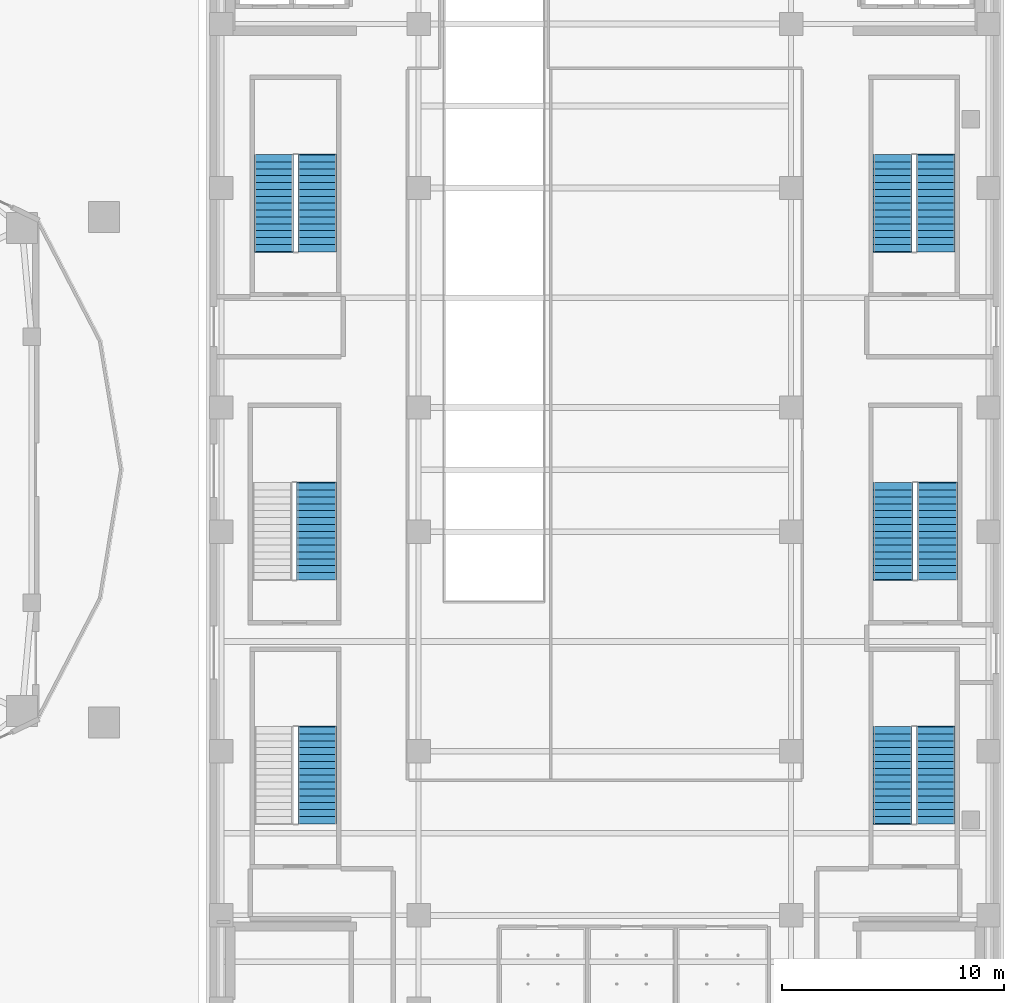
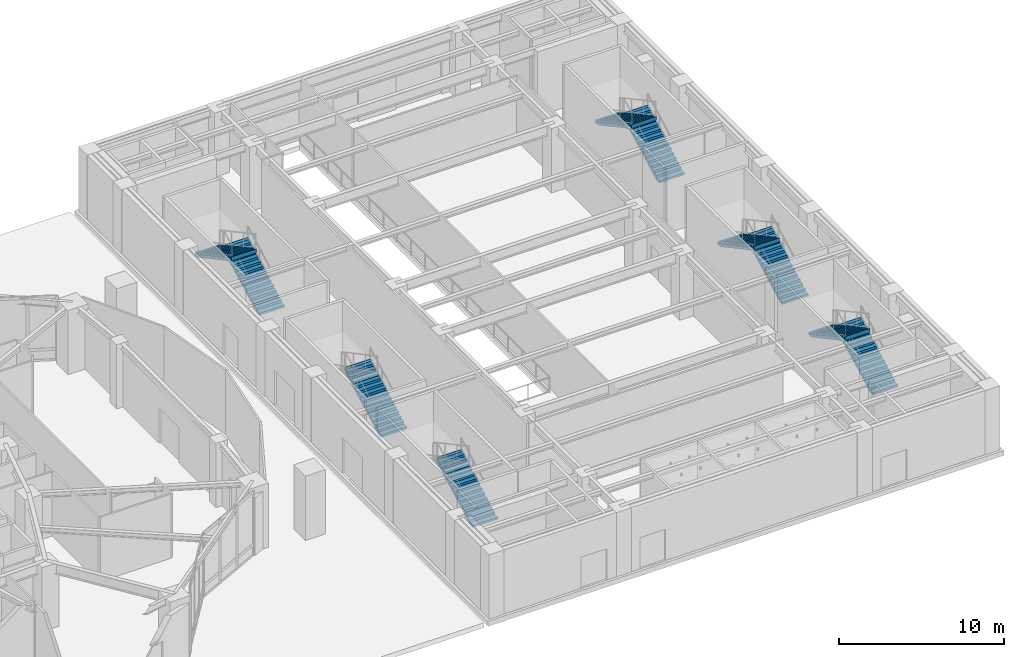
# One storey, part 17 of 23: 10 stair flights, 6 elements without a shape of their own.
"""IFC4 building model written with IfcOpenShell, lengths in metres."""

import ifcopenshell
import ifcopenshell.guid

model = None  # the IFC model being written
_history = None  # IfcOwnerHistory: only IFC2X3 demands one
_inside = {}  # id of a spatial element -> (the spatial element, [elements in it])
_under = {}  # id of a project, library or spatial element -> (it, [spatial elements below it])
_declared = {}  # id of a project -> (the project, [libraries it declares])
_typed = {}  # id of a type object -> (the type object, [elements of that type])
_made_of = {}  # id of a material, layer set ... -> (it, [elements and type objects made of it])


def new_model(schema):
    """Start an empty IFC model of exactly this schema.

    Asked for "IFC4X3", IfcOpenShell would pick the latest addendum, in which some entities
    have other attributes; the version numbers below select the first issue.
    IFC2X3 requires an IfcOwnerHistory on every rooted entity: one is made here for all.
    """
    global model, _history
    if schema == "IFC4X3":
        model = ifcopenshell.file(schema_version=(4, 3, 0, 0))
    else:
        model = ifcopenshell.file(schema=schema)
    _inside.clear()
    _under.clear()
    _declared.clear()
    _typed.clear()
    _made_of.clear()
    _history = None
    if model.schema == "IFC2X3":
        org = make("IfcOrganization", Name="unknown")
        user = make(
            "IfcPersonAndOrganization",
            ThePerson=make("IfcPerson", FamilyName="unknown"),
            TheOrganization=org,
        )
        app = make(
            "IfcApplication",
            ApplicationDeveloper=org,
            Version="unknown",
            ApplicationFullName="unknown",
            ApplicationIdentifier="unknown",
        )
        _history = make(
            "IfcOwnerHistory",
            OwningUser=user,
            OwningApplication=app,
            ChangeAction="ADDED",
            CreationDate=0,
        )
    return model


def make(cls, **values):
    """One entity of the class cls with the attributes given. An attribute that is None is left unset."""
    return model.create_entity(
        cls, **{name: value for name, value in values.items() if value is not None}
    )


def rooted(cls, **values):
    """An entity with a GlobalId (a new one), such as an element, a storey or a relation."""
    return make(cls, GlobalId=ifcopenshell.guid.new(), OwnerHistory=_history, **values)


def si_unit(unit_type, name, prefix=None):
    """IfcSIUnit, for example si_unit("LENGTHUNIT", "METRE", prefix="MILLI")."""
    return make("IfcSIUnit", UnitType=unit_type, Prefix=prefix, Name=name)


def assignment(units):
    """IfcUnitAssignment: the units of a project."""
    return None if units is None else make("IfcUnitAssignment", Units=units)


def point(xyz):
    """IfcCartesianPoint."""
    return None if xyz is None else make("IfcCartesianPoint", Coordinates=xyz)


def direction(xyz):
    """IfcDirection."""
    return None if xyz is None else make("IfcDirection", DirectionRatios=xyz)


def frame(location, z_axis=None, x_axis=None):
    """IfcAxis2Placement3D, a coordinate frame: its origin and axes. An axis left out is left unset."""
    return make(
        "IfcAxis2Placement3D",
        Location=point(location),
        Axis=direction(z_axis),
        RefDirection=direction(x_axis),
    )


def origin():
    """The frame at (0, 0, 0) with its axes left unset."""
    return frame((0.0, 0.0, 0.0))


def place(relative_to, where):
    """IfcLocalPlacement: puts the frame where relative to a parent placement (None: the world)."""
    return make(
        "IfcLocalPlacement", PlacementRelTo=relative_to, RelativePlacement=where
    )


def context(
    kind, dimensions, precision=None, world=None, true_north=None, identifier=None
):
    """IfcGeometricRepresentationContext, for example the 3D "Model" context."""
    return make(
        "IfcGeometricRepresentationContext",
        ContextIdentifier=identifier,
        ContextType=kind,
        CoordinateSpaceDimension=dimensions,
        Precision=precision,
        WorldCoordinateSystem=world,
        TrueNorth=true_north,
    )


def subcontext(parent, identifier, kind, view, scale=None):
    """IfcGeometricRepresentationSubContext, for example "Body" below "Model"."""
    return make(
        "IfcGeometricRepresentationSubContext",
        ContextIdentifier=identifier,
        ContextType=kind,
        ParentContext=parent,
        TargetScale=scale,
        TargetView=view,
    )


def project(units=None, contexts=None):
    """IfcProject with its units and contexts."""
    return rooted(
        "IfcProject",
        Name="project",
        RepresentationContexts=contexts,
        UnitsInContext=assignment(units),
    )


def spatial(cls, under=None, at=None, **own):
    """A site, building, storey or space (cls), placed at a placement, below another one or the project."""
    s = rooted(cls, ObjectPlacement=at, **own)
    if under is not None:
        _under.setdefault(under.id(), (under, []))[1].append(s)
    return s


def polyline(points):
    """IfcPolyline through the points."""
    return make("IfcPolyline", Points=[point(p) for p in points])


def outline(outer, holes=None, kind="AREA"):
    """IfcArbitraryClosedProfileDef: a profile drawn as a closed curve; with holes, ...WithVoids."""
    if holes is None:
        return make("IfcArbitraryClosedProfileDef", ProfileType=kind, OuterCurve=outer)
    return make(
        "IfcArbitraryProfileDefWithVoids",
        ProfileType=kind,
        OuterCurve=outer,
        InnerCurves=holes,
    )


def extrude(swept, where, along, depth):
    """IfcExtrudedAreaSolid: the profile swept, set in the frame where, extruded along a direction by depth."""
    return make(
        "IfcExtrudedAreaSolid",
        SweptArea=swept,
        Position=where,
        ExtrudedDirection=direction(along),
        Depth=depth,
    )


def shape(context_of_items, identifier, shape_type, items):
    """IfcShapeRepresentation: the items that make up one representation, for example the "Body"."""
    return make(
        "IfcShapeRepresentation",
        ContextOfItems=context_of_items,
        RepresentationIdentifier=identifier,
        RepresentationType=shape_type,
        Items=items,
    )


def material(Name=None, Category=None):
    """IfcMaterial."""
    return make("IfcMaterial", Name=Name, Category=Category)


def made_of(thing, what):
    """Note that an element or type object is made of a material, layer set ...; save() writes the relation."""
    if what is not None:
        _made_of.setdefault(what.id(), (what, []))[1].append(thing)
    return thing


def type_object(cls, material=None, **own):
    """A type object (cls), such as IfcWallType, which elements share."""
    return made_of(rooted(cls, **own), material)


def element(
    cls,
    number,
    at=None,
    inside=None,
    cuts=None,
    type_object=None,
    material=None,
    context=None,
    identifier="Body",
    shape_type=None,
    held_by="IfcProductDefinitionShape",
    body=None,
    shapes=None,
    **own,
):
    """One element of the class cls, such as IfcWall. Its Tag is "e" and its number.

    at: its placement. inside: the storey or other place that contains it. cuts: it is an
    opening in that element (IfcRelVoidsElement). A single representation is given by context,
    identifier, shape_type and body (its items); several are given by shapes. held_by: the class
    of the entity that holds the representations. save() writes the other relations.
    """
    e = rooted(cls, Tag="e%d" % number, ObjectPlacement=at, **own)
    if body is not None:
        shapes = [shape(context, identifier, shape_type, body)]
    if shapes is not None:
        e.Representation = make(held_by, Representations=shapes)
    if inside is not None:
        _inside.setdefault(inside.id(), (inside, []))[1].append(e)
    if cuts is not None:
        rooted(
            "IfcRelVoidsElement", RelatingBuildingElement=cuts, RelatedOpeningElement=e
        )
    if type_object is not None:
        _typed.setdefault(type_object.id(), (type_object, []))[1].append(e)
    return made_of(e, material)


def aggregate(whole, parts):
    """IfcRelAggregates: a whole, such as a stair, and the parts it consists of."""
    return rooted("IfcRelAggregates", RelatingObject=whole, RelatedObjects=parts)


def save(model, path):
    """Write the relations noted so far, then the file.

    IfcRelAggregates (storeys below a building ...), IfcRelContainedInSpatialStructure (elements
    in a storey), IfcRelDefinesByType, IfcRelAssociatesMaterial and IfcRelDeclares: one each for
    every whole, place, type object, material and project.
    """
    for whole, parts in _under.values():
        aggregate(whole, parts)
    for where, things in _inside.values():
        rooted(
            "IfcRelContainedInSpatialStructure",
            RelatedElements=things,
            RelatingStructure=where,
        )
    for kind, things in _typed.values():
        rooted("IfcRelDefinesByType", RelatedObjects=things, RelatingType=kind)
    for what, things in _made_of.values():
        rooted("IfcRelAssociatesMaterial", RelatedObjects=things, RelatingMaterial=what)
    for by, libraries in _declared.values():
        rooted("IfcRelDeclares", RelatingContext=by, RelatedDefinitions=libraries)
    model.write(path)


model = new_model("IFC4")

# Units and contexts
model_context = context("Model", 3, precision=1e-05, world=origin(), true_north=direction((0.0, 1.0)))
body_context = subcontext(model_context, "Body", "Model", "MODEL_VIEW")
ifc_project = project(units=[si_unit("LENGTHUNIT", "METRE"), si_unit("AREAUNIT", "SQUARE_METRE"), si_unit("VOLUMEUNIT", "CUBIC_METRE"), si_unit("PLANEANGLEUNIT", "RADIAN"), si_unit("MASSUNIT", "GRAM", prefix="KILO")], contexts=[model_context])

# Site, building, storey
site_placement = place(None, origin())
site = spatial("IfcSite", under=ifc_project, at=site_placement, CompositionType="ELEMENT")
building_placement = place(site_placement, origin())
building = spatial("IfcBuilding", under=site, at=building_placement, Name="Kolvaren Gate Tower and Convention Centre", CompositionType="ELEMENT")
storey_placement = place(building_placement, origin())
storey = spatial("IfcBuildingStorey", under=building, at=storey_placement, Name="L00", CompositionType="ELEMENT", Elevation=0.0)

# Stair, stair flights
ifc_material = material(Name="Concrete C50/60", Category="concrete")
stair_type = type_object("IfcStairType", Name="STR-STAIR-CONV", PredefinedType="HALF_TURN_STAIR", material=ifc_material)
stair_1_placement = place(storey_placement, origin())
stair_1 = element("IfcStair", 1, at=stair_1_placement, inside=storey, type_object=stair_type, Name="L00 Convention NW Exit Stair ST-C1", PredefinedType="HALF_TURN_STAIR")
stair_flight_type = type_object("IfcStairFlightType", Name="STR-SFL-1750", PredefinedType="STRAIGHT", material=ifc_material)
stair_flight_1_placement = place(storey_placement, frame((67.02490234375, 36.85009765625, 0.0), z_axis=(0.0, 0.0, 1.0), x_axis=(0.0, 1.0, 0.0)))
stair_flight_1 = element("IfcStairFlight", 2, at=stair_flight_1_placement, type_object=stair_flight_type, Name="ST-C1 flight 1", NumberOfRisers=15, NumberOfTreads=14, PredefinedType="STRAIGHT", RiserHeight=0.166666667, TreadLength=0.31, context=body_context, shape_type="SweptSolid", body=[
    extrude(outline(polyline([(-0.034912109375, 0.0), (-0.034912109375, 0.166748046875), (0.31005859375, 0.166748046875), (0.31005859375, 0.333251953125), (0.6201171875, 0.333251953125), (0.6201171875, 0.5), (0.929931640625, 0.5), (0.929931640625, 0.666748046875), (1.239990234375, 0.666748046875), (1.239990234375, 0.833251953125), (1.550048828125, 0.833251953125), (1.550048828125, 1.0), (1.860107421875, 1.0), (1.860107421875, 1.166748046875), (2.169921875, 1.166748046875), (2.169921875, 1.333251953125), (2.47998046875, 1.333251953125), (2.47998046875, 1.5), (2.7900390625, 1.5), (2.7900390625, 1.666748046875), (3.10009765625, 1.666748046875), (3.10009765625, 1.833251953125), (3.409912109375, 1.833251953125), (3.409912109375, 2.0), (3.719970703125, 2.0), (3.719970703125, 2.166748046875), (4.030029296875, 2.166748046875), (4.030029296875, 2.333251953125), (4.340087890625, 2.333251953125), (4.340087890625, 2.5), (4.385009765625, 2.5), (4.385009765625, 2.340087890625), (4.340087890625, 2.1630859375), (0.316650390625, 0.0), (-0.034912109375, 0.0)])), frame((0.0, 0.875, 0.0), z_axis=(0.0, -1.0, 0.0), x_axis=(1.0, 0.0, 0.0)), (0.0, 0.0, 1.0), 1.75),
])
stair_flight_2_placement = place(storey_placement, frame((65.074951171875, 41.18994140625, 2.5), z_axis=(0.0, 0.0, 1.0), x_axis=(0.0, -1.0, 0.0)))
stair_flight_2 = element("IfcStairFlight", 3, at=stair_flight_2_placement, type_object=stair_flight_type, Name="ST-C1 flight 2", NumberOfRisers=15, NumberOfTreads=14, PredefinedType="STRAIGHT", RiserHeight=0.166666667, TreadLength=0.31, context=body_context, shape_type="SweptSolid", body=[
    extrude(outline(polyline([(-0.034912109375, 0.0), (-0.034912109375, 0.166748046875), (0.31005859375, 0.166748046875), (0.31005859375, 0.333251953125), (0.6201171875, 0.333251953125), (0.6201171875, 0.5), (0.929931640625, 0.5), (0.929931640625, 0.666748046875), (1.239990234375, 0.666748046875), (1.239990234375, 0.833251953125), (1.550048828125, 0.833251953125), (1.550048828125, 1.0), (1.860107421875, 1.0), (1.860107421875, 1.166748046875), (2.169921875, 1.166748046875), (2.169921875, 1.333251953125), (2.47998046875, 1.333251953125), (2.47998046875, 1.5), (2.7900390625, 1.5), (2.7900390625, 1.666748046875), (3.10009765625, 1.666748046875), (3.10009765625, 1.833251953125), (3.409912109375, 1.833251953125), (3.409912109375, 2.0), (3.719970703125, 2.0), (3.719970703125, 2.166748046875), (4.030029296875, 2.166748046875), (4.030029296875, 2.333251953125), (4.340087890625, 2.333251953125), (4.340087890625, 2.5), (4.385009765625, 2.5), (4.385009765625, 2.340087890625), (4.340087890625, 2.1630859375), (0.316650390625, 0.0), (-0.034912109375, 0.0)])), frame((0.0, 0.875, 0.0), z_axis=(0.0, -1.0, 0.0), x_axis=(1.0, 0.0, 0.0)), (0.0, 0.0, 1.0), 1.75),
])
aggregate(stair_1, [stair_flight_1, stair_flight_2])

# Stair, stair flight
stair_2_placement = place(storey_placement, origin())
stair_2 = element("IfcStair", 4, at=stair_2_placement, inside=storey, type_object=stair_type, Name="L00 Convention SW Exit Stair ST-C2", PredefinedType="HALF_TURN_STAIR")
stair_flight_3_placement = place(storey_placement, frame((67.02490234375, 11.050048828125, 0.0), z_axis=(0.0, 0.0, 1.0), x_axis=(0.0, 1.0, 0.0)))
stair_flight_3 = element("IfcStairFlight", 5, at=stair_flight_3_placement, type_object=stair_flight_type, Name="ST-C2 flight 1", NumberOfRisers=15, NumberOfTreads=14, PredefinedType="STRAIGHT", RiserHeight=0.166666667, TreadLength=0.31, context=body_context, shape_type="SweptSolid", body=[
    extrude(outline(polyline([(-0.034912109375, 0.0), (-0.034912109375, 0.166748046875), (0.31005859375, 0.166748046875), (0.31005859375, 0.333251953125), (0.6201171875, 0.333251953125), (0.6201171875, 0.5), (0.929931640625, 0.5), (0.929931640625, 0.666748046875), (1.239990234375, 0.666748046875), (1.239990234375, 0.833251953125), (1.550048828125, 0.833251953125), (1.550048828125, 1.0), (1.860107421875, 1.0), (1.860107421875, 1.166748046875), (2.169921875, 1.166748046875), (2.169921875, 1.333251953125), (2.47998046875, 1.333251953125), (2.47998046875, 1.5), (2.7900390625, 1.5), (2.7900390625, 1.666748046875), (3.10009765625, 1.666748046875), (3.10009765625, 1.833251953125), (3.409912109375, 1.833251953125), (3.409912109375, 2.0), (3.719970703125, 2.0), (3.719970703125, 2.166748046875), (4.030029296875, 2.166748046875), (4.030029296875, 2.333251953125), (4.340087890625, 2.333251953125), (4.340087890625, 2.5), (4.385009765625, 2.5), (4.385009765625, 2.340087890625), (4.340087890625, 2.1630859375), (0.316650390625, 0.0), (-0.034912109375, 0.0)])), frame((0.0, 0.875, 0.0), z_axis=(0.0, -1.0, 0.0), x_axis=(1.0, 0.0, 0.0)), (0.0, 0.0, 1.0), 1.75),
])
aggregate(stair_2, [stair_flight_3])

# Stair, stair flights
stair_3_placement = place(storey_placement, origin())
stair_3 = element("IfcStair", 6, at=stair_3_placement, inside=storey, type_object=stair_type, Name="L00 Convention NE Exit Stair ST-C3", PredefinedType="HALF_TURN_STAIR")
stair_flight_4_placement = place(storey_placement, frame((94.925048828125, 36.85009765625, 0.0), z_axis=(0.0, 0.0, 1.0), x_axis=(0.0, 1.0, 0.0)))
stair_flight_4 = element("IfcStairFlight", 7, at=stair_flight_4_placement, type_object=stair_flight_type, Name="ST-C3 flight 1", NumberOfRisers=15, NumberOfTreads=14, PredefinedType="STRAIGHT", RiserHeight=0.166666667, TreadLength=0.31, context=body_context, shape_type="SweptSolid", body=[
    extrude(outline(polyline([(-0.034912109375, 0.0), (-0.034912109375, 0.166748046875), (0.31005859375, 0.166748046875), (0.31005859375, 0.333251953125), (0.6201171875, 0.333251953125), (0.6201171875, 0.5), (0.929931640625, 0.5), (0.929931640625, 0.666748046875), (1.239990234375, 0.666748046875), (1.239990234375, 0.833251953125), (1.550048828125, 0.833251953125), (1.550048828125, 1.0), (1.860107421875, 1.0), (1.860107421875, 1.166748046875), (2.169921875, 1.166748046875), (2.169921875, 1.333251953125), (2.47998046875, 1.333251953125), (2.47998046875, 1.5), (2.7900390625, 1.5), (2.7900390625, 1.666748046875), (3.10009765625, 1.666748046875), (3.10009765625, 1.833251953125), (3.409912109375, 1.833251953125), (3.409912109375, 2.0), (3.719970703125, 2.0), (3.719970703125, 2.166748046875), (4.030029296875, 2.166748046875), (4.030029296875, 2.333251953125), (4.340087890625, 2.333251953125), (4.340087890625, 2.5), (4.385009765625, 2.5), (4.385009765625, 2.340087890625), (4.340087890625, 2.1630859375), (0.316650390625, 0.0), (-0.034912109375, 0.0)])), frame((0.0, 0.875, 0.0), z_axis=(0.0, -1.0, 0.0), x_axis=(1.0, 0.0, 0.0)), (0.0, 0.0, 1.0), 1.75),
])
stair_flight_5_placement = place(storey_placement, frame((92.97509765625, 41.18994140625, 2.5), z_axis=(0.0, 0.0, 1.0), x_axis=(0.0, -1.0, 0.0)))
stair_flight_5 = element("IfcStairFlight", 8, at=stair_flight_5_placement, type_object=stair_flight_type, Name="ST-C3 flight 2", NumberOfRisers=15, NumberOfTreads=14, PredefinedType="STRAIGHT", RiserHeight=0.166666667, TreadLength=0.31, context=body_context, shape_type="SweptSolid", body=[
    extrude(outline(polyline([(-0.034912109375, 0.0), (-0.034912109375, 0.166748046875), (0.31005859375, 0.166748046875), (0.31005859375, 0.333251953125), (0.6201171875, 0.333251953125), (0.6201171875, 0.5), (0.929931640625, 0.5), (0.929931640625, 0.666748046875), (1.239990234375, 0.666748046875), (1.239990234375, 0.833251953125), (1.550048828125, 0.833251953125), (1.550048828125, 1.0), (1.860107421875, 1.0), (1.860107421875, 1.166748046875), (2.169921875, 1.166748046875), (2.169921875, 1.333251953125), (2.47998046875, 1.333251953125), (2.47998046875, 1.5), (2.7900390625, 1.5), (2.7900390625, 1.666748046875), (3.10009765625, 1.666748046875), (3.10009765625, 1.833251953125), (3.409912109375, 1.833251953125), (3.409912109375, 2.0), (3.719970703125, 2.0), (3.719970703125, 2.166748046875), (4.030029296875, 2.166748046875), (4.030029296875, 2.333251953125), (4.340087890625, 2.333251953125), (4.340087890625, 2.5), (4.385009765625, 2.5), (4.385009765625, 2.340087890625), (4.340087890625, 2.1630859375), (0.316650390625, 0.0), (-0.034912109375, 0.0)])), frame((0.0, 0.875, 0.0), z_axis=(0.0, -1.0, 0.0), x_axis=(1.0, 0.0, 0.0)), (0.0, 0.0, 1.0), 1.75),
])
aggregate(stair_3, [stair_flight_4, stair_flight_5])

stair_4_placement = place(storey_placement, origin())
stair_4 = element("IfcStair", 9, at=stair_4_placement, inside=storey, type_object=stair_type, Name="L00 Convention SE Exit Stair ST-C4", PredefinedType="HALF_TURN_STAIR")
stair_flight_6_placement = place(storey_placement, frame((94.925048828125, 11.050048828125, 0.0), z_axis=(0.0, 0.0, 1.0), x_axis=(0.0, 1.0, 0.0)))
stair_flight_6 = element("IfcStairFlight", 10, at=stair_flight_6_placement, type_object=stair_flight_type, Name="ST-C4 flight 1", NumberOfRisers=15, NumberOfTreads=14, PredefinedType="STRAIGHT", RiserHeight=0.166666667, TreadLength=0.31, context=body_context, shape_type="SweptSolid", body=[
    extrude(outline(polyline([(-0.034912109375, 0.0), (-0.034912109375, 0.166748046875), (0.31005859375, 0.166748046875), (0.31005859375, 0.333251953125), (0.6201171875, 0.333251953125), (0.6201171875, 0.5), (0.929931640625, 0.5), (0.929931640625, 0.666748046875), (1.239990234375, 0.666748046875), (1.239990234375, 0.833251953125), (1.550048828125, 0.833251953125), (1.550048828125, 1.0), (1.860107421875, 1.0), (1.860107421875, 1.166748046875), (2.169921875, 1.166748046875), (2.169921875, 1.333251953125), (2.47998046875, 1.333251953125), (2.47998046875, 1.5), (2.7900390625, 1.5), (2.7900390625, 1.666748046875), (3.10009765625, 1.666748046875), (3.10009765625, 1.833251953125), (3.409912109375, 1.833251953125), (3.409912109375, 2.0), (3.719970703125, 2.0), (3.719970703125, 2.166748046875), (4.030029296875, 2.166748046875), (4.030029296875, 2.333251953125), (4.340087890625, 2.333251953125), (4.340087890625, 2.5), (4.385009765625, 2.5), (4.385009765625, 2.340087890625), (4.340087890625, 2.1630859375), (0.316650390625, 0.0), (-0.034912109375, 0.0)])), frame((0.0, 0.875, 0.0), z_axis=(0.0, -1.0, 0.0), x_axis=(1.0, 0.0, 0.0)), (0.0, 0.0, 1.0), 1.75),
])
stair_flight_7_placement = place(storey_placement, frame((92.97509765625, 15.389892578125, 2.5), z_axis=(0.0, 0.0, 1.0), x_axis=(0.0, -1.0, 0.0)))
stair_flight_7 = element("IfcStairFlight", 11, at=stair_flight_7_placement, type_object=stair_flight_type, Name="ST-C4 flight 2", NumberOfRisers=15, NumberOfTreads=14, PredefinedType="STRAIGHT", RiserHeight=0.166666667, TreadLength=0.31, context=body_context, shape_type="SweptSolid", body=[
    extrude(outline(polyline([(-0.034912109375, 0.0), (-0.034912109375, 0.166748046875), (0.31005859375, 0.166748046875), (0.31005859375, 0.333251953125), (0.6201171875, 0.333251953125), (0.6201171875, 0.5), (0.929931640625, 0.5), (0.929931640625, 0.666748046875), (1.239990234375, 0.666748046875), (1.239990234375, 0.833251953125), (1.550048828125, 0.833251953125), (1.550048828125, 1.0), (1.860107421875, 1.0), (1.860107421875, 1.166748046875), (2.169921875, 1.166748046875), (2.169921875, 1.333251953125), (2.47998046875, 1.333251953125), (2.47998046875, 1.5), (2.7900390625, 1.5), (2.7900390625, 1.666748046875), (3.10009765625, 1.666748046875), (3.10009765625, 1.833251953125), (3.409912109375, 1.833251953125), (3.409912109375, 2.0), (3.719970703125, 2.0), (3.719970703125, 2.166748046875), (4.030029296875, 2.166748046875), (4.030029296875, 2.333251953125), (4.340087890625, 2.333251953125), (4.340087890625, 2.5), (4.385009765625, 2.5), (4.385009765625, 2.340087890625), (4.340087890625, 2.1630859375), (0.316650390625, 0.0), (-0.034912109375, 0.0)])), frame((0.0, 0.875, 0.0), z_axis=(0.0, -1.0, 0.0), x_axis=(1.0, 0.0, 0.0)), (0.0, 0.0, 1.0), 1.75),
])
aggregate(stair_4, [stair_flight_6, stair_flight_7])

# Stair, stair flight
stair_5_placement = place(storey_placement, origin())
stair_5 = element("IfcStair", 12, at=stair_5_placement, inside=storey, type_object=stair_type, Name="L00 Convention West Assembly Stair ST-C5", PredefinedType="HALF_TURN_STAIR")
stair_flight_8_placement = place(storey_placement, frame((67.0, 22.050048828125, 0.0), z_axis=(0.0, 0.0, 1.0), x_axis=(0.0, 1.0, 0.0)))
stair_flight_8 = element("IfcStairFlight", 13, at=stair_flight_8_placement, type_object=stair_flight_type, Name="ST-C5 flight 1", NumberOfRisers=15, NumberOfTreads=14, PredefinedType="STRAIGHT", RiserHeight=0.166666667, TreadLength=0.31, context=body_context, shape_type="SweptSolid", body=[
    extrude(outline(polyline([(-0.034912109375, 0.0), (-0.034912109375, 0.166748046875), (0.31005859375, 0.166748046875), (0.31005859375, 0.333251953125), (0.6201171875, 0.333251953125), (0.6201171875, 0.5), (0.929931640625, 0.5), (0.929931640625, 0.666748046875), (1.239990234375, 0.666748046875), (1.239990234375, 0.833251953125), (1.550048828125, 0.833251953125), (1.550048828125, 1.0), (1.860107421875, 1.0), (1.860107421875, 1.166748046875), (2.169921875, 1.166748046875), (2.169921875, 1.333251953125), (2.47998046875, 1.333251953125), (2.47998046875, 1.5), (2.7900390625, 1.5), (2.7900390625, 1.666748046875), (3.10009765625, 1.666748046875), (3.10009765625, 1.833251953125), (3.409912109375, 1.833251953125), (3.409912109375, 2.0), (3.719970703125, 2.0), (3.719970703125, 2.166748046875), (4.030029296875, 2.166748046875), (4.030029296875, 2.333251953125), (4.340087890625, 2.333251953125), (4.340087890625, 2.5), (4.385009765625, 2.5), (4.385009765625, 2.340087890625), (4.340087890625, 2.1630859375), (0.316650390625, 0.0), (-0.034912109375, 0.0)])), frame((0.0, 0.89990234375, 0.0), z_axis=(0.0, -1.0, 0.0), x_axis=(1.0, 0.0, 0.0)), (0.0, 0.0, 1.0), 1.800048828125),
])
aggregate(stair_5, [stair_flight_8])

# Stair, stair flights
stair_6_placement = place(storey_placement, origin())
stair_6 = element("IfcStair", 14, at=stair_6_placement, inside=storey, type_object=stair_type, Name="L00 Convention East Assembly Stair ST-C6", PredefinedType="HALF_TURN_STAIR")
stair_flight_9_placement = place(storey_placement, frame((95.0, 22.050048828125, 0.0), z_axis=(0.0, 0.0, 1.0), x_axis=(0.0, 1.0, 0.0)))
stair_flight_9 = element("IfcStairFlight", 15, at=stair_flight_9_placement, type_object=stair_flight_type, Name="ST-C6 flight 1", NumberOfRisers=15, NumberOfTreads=14, PredefinedType="STRAIGHT", RiserHeight=0.166666667, TreadLength=0.31, context=body_context, shape_type="SweptSolid", body=[
    extrude(outline(polyline([(-0.034912109375, 0.0), (-0.034912109375, 0.166748046875), (0.31005859375, 0.166748046875), (0.31005859375, 0.333251953125), (0.6201171875, 0.333251953125), (0.6201171875, 0.5), (0.929931640625, 0.5), (0.929931640625, 0.666748046875), (1.239990234375, 0.666748046875), (1.239990234375, 0.833251953125), (1.550048828125, 0.833251953125), (1.550048828125, 1.0), (1.860107421875, 1.0), (1.860107421875, 1.166748046875), (2.169921875, 1.166748046875), (2.169921875, 1.333251953125), (2.47998046875, 1.333251953125), (2.47998046875, 1.5), (2.7900390625, 1.5), (2.7900390625, 1.666748046875), (3.10009765625, 1.666748046875), (3.10009765625, 1.833251953125), (3.409912109375, 1.833251953125), (3.409912109375, 2.0), (3.719970703125, 2.0), (3.719970703125, 2.166748046875), (4.030029296875, 2.166748046875), (4.030029296875, 2.333251953125), (4.340087890625, 2.333251953125), (4.340087890625, 2.5), (4.385009765625, 2.5), (4.385009765625, 2.340087890625), (4.340087890625, 2.1630859375), (0.316650390625, 0.0), (-0.034912109375, 0.0)])), frame((0.0, 0.89990234375, 0.0), z_axis=(0.0, -1.0, 0.0), x_axis=(1.0, 0.0, 0.0)), (0.0, 0.0, 1.0), 1.800048828125),
])
stair_flight_10_placement = place(storey_placement, frame((93.0, 26.389892578125, 2.5), z_axis=(0.0, 0.0, 1.0), x_axis=(0.0, -1.0, 0.0)))
stair_flight_10 = element("IfcStairFlight", 16, at=stair_flight_10_placement, type_object=stair_flight_type, Name="ST-C6 flight 2", NumberOfRisers=15, NumberOfTreads=14, PredefinedType="STRAIGHT", RiserHeight=0.166666667, TreadLength=0.31, context=body_context, shape_type="SweptSolid", body=[
    extrude(outline(polyline([(-0.034912109375, 0.0), (-0.034912109375, 0.166748046875), (0.31005859375, 0.166748046875), (0.31005859375, 0.333251953125), (0.6201171875, 0.333251953125), (0.6201171875, 0.5), (0.929931640625, 0.5), (0.929931640625, 0.666748046875), (1.239990234375, 0.666748046875), (1.239990234375, 0.833251953125), (1.550048828125, 0.833251953125), (1.550048828125, 1.0), (1.860107421875, 1.0), (1.860107421875, 1.166748046875), (2.169921875, 1.166748046875), (2.169921875, 1.333251953125), (2.47998046875, 1.333251953125), (2.47998046875, 1.5), (2.7900390625, 1.5), (2.7900390625, 1.666748046875), (3.10009765625, 1.666748046875), (3.10009765625, 1.833251953125), (3.409912109375, 1.833251953125), (3.409912109375, 2.0), (3.719970703125, 2.0), (3.719970703125, 2.166748046875), (4.030029296875, 2.166748046875), (4.030029296875, 2.333251953125), (4.340087890625, 2.333251953125), (4.340087890625, 2.5), (4.385009765625, 2.5), (4.385009765625, 2.340087890625), (4.340087890625, 2.1630859375), (0.316650390625, 0.0), (-0.034912109375, 0.0)])), frame((0.0, 0.89990234375, 0.0), z_axis=(0.0, -1.0, 0.0), x_axis=(1.0, 0.0, 0.0)), (0.0, 0.0, 1.0), 1.800048828125),
])
aggregate(stair_6, [stair_flight_9, stair_flight_10])

save(model, "model.ifc")
